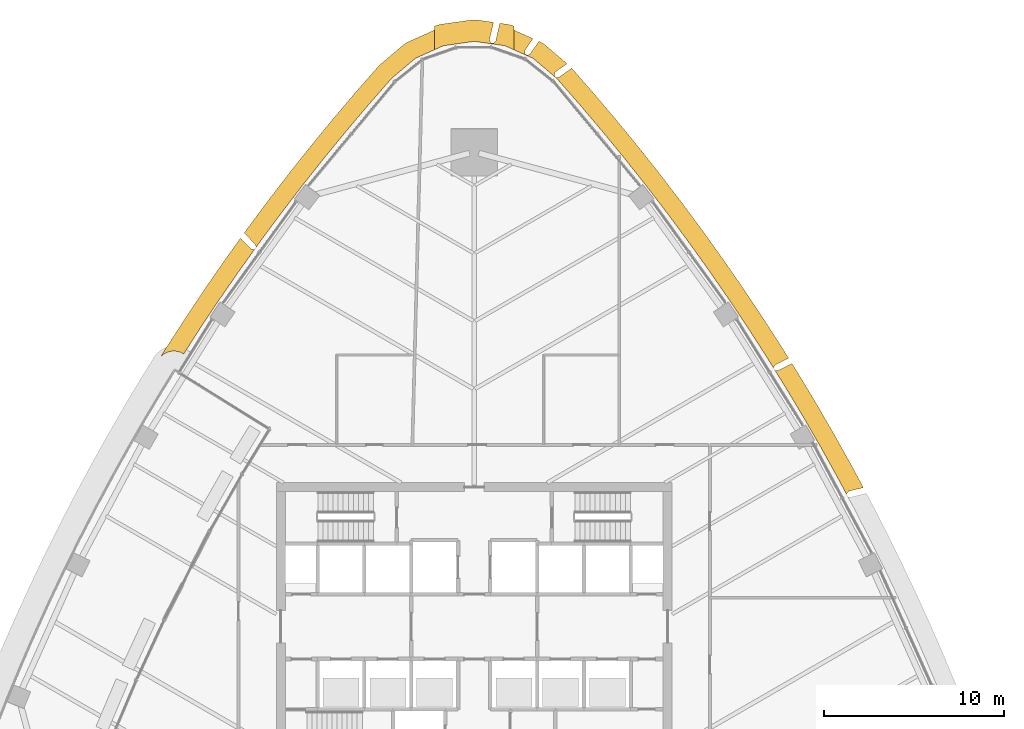
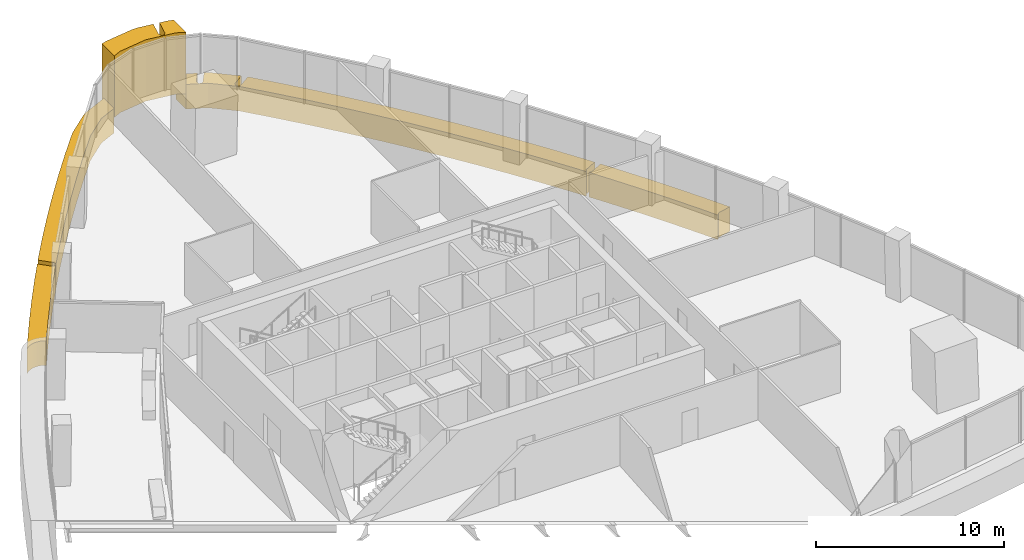
# One storey, part 17 of 18: 5 coverings.
"""IFC4 building model written with IfcOpenShell, lengths in metres."""

import ifcopenshell
import ifcopenshell.guid

model = None  # the IFC model being written
_history = None  # IfcOwnerHistory: only IFC2X3 demands one
_inside = {}  # id of a spatial element -> (the spatial element, [elements in it])
_under = {}  # id of a project, library or spatial element -> (it, [spatial elements below it])
_declared = {}  # id of a project -> (the project, [libraries it declares])
_typed = {}  # id of a type object -> (the type object, [elements of that type])
_made_of = {}  # id of a material, layer set ... -> (it, [elements and type objects made of it])


def new_model(schema):
    """Start an empty IFC model of exactly this schema.

    Asked for "IFC4X3", IfcOpenShell would pick the latest addendum, in which some entities
    have other attributes; the version numbers below select the first issue.
    IFC2X3 requires an IfcOwnerHistory on every rooted entity: one is made here for all.
    """
    global model, _history
    if schema == "IFC4X3":
        model = ifcopenshell.file(schema_version=(4, 3, 0, 0))
    else:
        model = ifcopenshell.file(schema=schema)
    _inside.clear()
    _under.clear()
    _declared.clear()
    _typed.clear()
    _made_of.clear()
    _history = None
    if model.schema == "IFC2X3":
        org = make("IfcOrganization", Name="unknown")
        user = make(
            "IfcPersonAndOrganization",
            ThePerson=make("IfcPerson", FamilyName="unknown"),
            TheOrganization=org,
        )
        app = make(
            "IfcApplication",
            ApplicationDeveloper=org,
            Version="unknown",
            ApplicationFullName="unknown",
            ApplicationIdentifier="unknown",
        )
        _history = make(
            "IfcOwnerHistory",
            OwningUser=user,
            OwningApplication=app,
            ChangeAction="ADDED",
            CreationDate=0,
        )
    return model


def make(cls, **values):
    """One entity of the class cls with the attributes given. An attribute that is None is left unset."""
    return model.create_entity(
        cls, **{name: value for name, value in values.items() if value is not None}
    )


def rooted(cls, **values):
    """An entity with a GlobalId (a new one), such as an element, a storey or a relation."""
    return make(cls, GlobalId=ifcopenshell.guid.new(), OwnerHistory=_history, **values)


def si_unit(unit_type, name, prefix=None):
    """IfcSIUnit, for example si_unit("LENGTHUNIT", "METRE", prefix="MILLI")."""
    return make("IfcSIUnit", UnitType=unit_type, Prefix=prefix, Name=name)


def assignment(units):
    """IfcUnitAssignment: the units of a project."""
    return None if units is None else make("IfcUnitAssignment", Units=units)


def point(xyz):
    """IfcCartesianPoint."""
    return None if xyz is None else make("IfcCartesianPoint", Coordinates=xyz)


def direction(xyz):
    """IfcDirection."""
    return None if xyz is None else make("IfcDirection", DirectionRatios=xyz)


def frame(location, z_axis=None, x_axis=None):
    """IfcAxis2Placement3D, a coordinate frame: its origin and axes. An axis left out is left unset."""
    return make(
        "IfcAxis2Placement3D",
        Location=point(location),
        Axis=direction(z_axis),
        RefDirection=direction(x_axis),
    )


def origin():
    """The frame at (0, 0, 0) with its axes left unset."""
    return frame((0.0, 0.0, 0.0))


def place(relative_to, where):
    """IfcLocalPlacement: puts the frame where relative to a parent placement (None: the world)."""
    return make(
        "IfcLocalPlacement", PlacementRelTo=relative_to, RelativePlacement=where
    )


def context(
    kind, dimensions, precision=None, world=None, true_north=None, identifier=None
):
    """IfcGeometricRepresentationContext, for example the 3D "Model" context."""
    return make(
        "IfcGeometricRepresentationContext",
        ContextIdentifier=identifier,
        ContextType=kind,
        CoordinateSpaceDimension=dimensions,
        Precision=precision,
        WorldCoordinateSystem=world,
        TrueNorth=true_north,
    )


def subcontext(parent, identifier, kind, view, scale=None):
    """IfcGeometricRepresentationSubContext, for example "Body" below "Model"."""
    return make(
        "IfcGeometricRepresentationSubContext",
        ContextIdentifier=identifier,
        ContextType=kind,
        ParentContext=parent,
        TargetScale=scale,
        TargetView=view,
    )


def project(units=None, contexts=None):
    """IfcProject with its units and contexts."""
    return rooted(
        "IfcProject",
        Name="project",
        RepresentationContexts=contexts,
        UnitsInContext=assignment(units),
    )


def spatial(cls, under=None, at=None, **own):
    """A site, building, storey or space (cls), placed at a placement, below another one or the project."""
    s = rooted(cls, ObjectPlacement=at, **own)
    if under is not None:
        _under.setdefault(under.id(), (under, []))[1].append(s)
    return s


def polyline(points):
    """IfcPolyline through the points."""
    return make("IfcPolyline", Points=[point(p) for p in points])


def outline(outer, holes=None, kind="AREA"):
    """IfcArbitraryClosedProfileDef: a profile drawn as a closed curve; with holes, ...WithVoids."""
    if holes is None:
        return make("IfcArbitraryClosedProfileDef", ProfileType=kind, OuterCurve=outer)
    return make(
        "IfcArbitraryProfileDefWithVoids",
        ProfileType=kind,
        OuterCurve=outer,
        InnerCurves=holes,
    )


def extrude(swept, where, along, depth):
    """IfcExtrudedAreaSolid: the profile swept, set in the frame where, extruded along a direction by depth."""
    return make(
        "IfcExtrudedAreaSolid",
        SweptArea=swept,
        Position=where,
        ExtrudedDirection=direction(along),
        Depth=depth,
    )


def shape(context_of_items, identifier, shape_type, items):
    """IfcShapeRepresentation: the items that make up one representation, for example the "Body"."""
    return make(
        "IfcShapeRepresentation",
        ContextOfItems=context_of_items,
        RepresentationIdentifier=identifier,
        RepresentationType=shape_type,
        Items=items,
    )


def material(Name=None, Category=None):
    """IfcMaterial."""
    return make("IfcMaterial", Name=Name, Category=Category)


def layer(
    of_material, thickness, ventilated=None, Name=None, Category=None, Priority=None
):
    """IfcMaterialLayer: one layer of a wall or slab, of a material (None: an air gap)."""
    return make(
        "IfcMaterialLayer",
        Material=of_material,
        LayerThickness=thickness,
        IsVentilated=ventilated,
        Name=Name,
        Category=Category,
        Priority=Priority,
    )


def layer_set(layers, Name=None):
    """IfcMaterialLayerSet."""
    return make("IfcMaterialLayerSet", MaterialLayers=layers, LayerSetName=Name)


def made_of(thing, what):
    """Note that an element or type object is made of a material, layer set ...; save() writes the relation."""
    if what is not None:
        _made_of.setdefault(what.id(), (what, []))[1].append(thing)
    return thing


def type_object(cls, material=None, **own):
    """A type object (cls), such as IfcWallType, which elements share."""
    return made_of(rooted(cls, **own), material)


def element(
    cls,
    number,
    at=None,
    inside=None,
    cuts=None,
    type_object=None,
    material=None,
    context=None,
    identifier="Body",
    shape_type=None,
    held_by="IfcProductDefinitionShape",
    body=None,
    shapes=None,
    **own,
):
    """One element of the class cls, such as IfcWall. Its Tag is "e" and its number.

    at: its placement. inside: the storey or other place that contains it. cuts: it is an
    opening in that element (IfcRelVoidsElement). A single representation is given by context,
    identifier, shape_type and body (its items); several are given by shapes. held_by: the class
    of the entity that holds the representations. save() writes the other relations.
    """
    e = rooted(cls, Tag="e%d" % number, ObjectPlacement=at, **own)
    if body is not None:
        shapes = [shape(context, identifier, shape_type, body)]
    if shapes is not None:
        e.Representation = make(held_by, Representations=shapes)
    if inside is not None:
        _inside.setdefault(inside.id(), (inside, []))[1].append(e)
    if cuts is not None:
        rooted(
            "IfcRelVoidsElement", RelatingBuildingElement=cuts, RelatedOpeningElement=e
        )
    if type_object is not None:
        _typed.setdefault(type_object.id(), (type_object, []))[1].append(e)
    return made_of(e, material)


def aggregate(whole, parts):
    """IfcRelAggregates: a whole, such as a stair, and the parts it consists of."""
    return rooted("IfcRelAggregates", RelatingObject=whole, RelatedObjects=parts)


def save(model, path):
    """Write the relations noted so far, then the file.

    IfcRelAggregates (storeys below a building ...), IfcRelContainedInSpatialStructure (elements
    in a storey), IfcRelDefinesByType, IfcRelAssociatesMaterial and IfcRelDeclares: one each for
    every whole, place, type object, material and project.
    """
    for whole, parts in _under.values():
        aggregate(whole, parts)
    for where, things in _inside.values():
        rooted(
            "IfcRelContainedInSpatialStructure",
            RelatedElements=things,
            RelatingStructure=where,
        )
    for kind, things in _typed.values():
        rooted("IfcRelDefinesByType", RelatedObjects=things, RelatingType=kind)
    for what, things in _made_of.values():
        rooted("IfcRelAssociatesMaterial", RelatedObjects=things, RelatingMaterial=what)
    for by, libraries in _declared.values():
        rooted("IfcRelDeclares", RelatingContext=by, RelatedDefinitions=libraries)
    model.write(path)


model = new_model("IFC4")

# Units and contexts
model_context = context("Model", 3, precision=1e-05, world=origin(), true_north=direction((0.0, 1.0)))
body_context = subcontext(model_context, "Body", "Model", "MODEL_VIEW")
ifc_project = project(units=[si_unit("LENGTHUNIT", "METRE"), si_unit("AREAUNIT", "SQUARE_METRE"), si_unit("VOLUMEUNIT", "CUBIC_METRE"), si_unit("PLANEANGLEUNIT", "RADIAN"), si_unit("MASSUNIT", "GRAM", prefix="KILO")], contexts=[model_context])

# Site, building, storey
site_placement = place(None, origin())
site = spatial("IfcSite", under=ifc_project, at=site_placement, CompositionType="ELEMENT")
building_placement = place(site_placement, origin())
building = spatial("IfcBuilding", under=site, at=building_placement, Name="Sierra Prisma Convention Tower", CompositionType="ELEMENT")
storey_placement = place(building_placement, frame((0.0, 0.0, 205.800048828125)))
storey = spatial("IfcBuildingStorey", under=building, at=storey_placement, Name="L46", CompositionType="ELEMENT", Elevation=205.800048828125)

# Coverings
ifc_material_1 = material(Name="Aluminium composite bronze anodised", Category="aluminium")
ifc_layer_1 = layer(ifc_material_1, 1.199951171875)
ifc_layer_set_1 = layer_set([ifc_layer_1], Name="Bronze corner pier")
covering_type_1 = type_object("IfcCoveringType", Name="Bronze corner pier", PredefinedType="CLADDING", material=ifc_layer_set_1)
covering_1_placement = place(storey_placement, frame((0.0, 0.0, -0.60009765625)))
element("IfcCovering", 1, at=covering_1_placement, inside=storey, type_object=covering_type_1, Name="Corner pier N L46.1", PredefinedType="CLADDING", context=body_context, shape_type="SweptSolid", body=[
    extrude(outline(polyline([(-2.199951171875, 32.065673828125), (-2.199951171875, 33.380859375), (-2.19580078125, 33.3828125), (-1.87255859375, 33.47607421875), (-0.168212890625, 33.71728515625), (0.168212890625, 33.71728515625), (1.076904296875, 33.588623046875), (0.85791015625, 32.64501953125), (0.857177734375, 32.639892578125), (0.856689453125, 32.635009765625), (0.85693359375, 32.6298828125), (0.857421875, 32.625), (0.858642578125, 32.6201171875), (0.8603515625, 32.615234375), (0.915771484375, 32.47509765625), (0.917724609375, 32.470703125), (0.920166015625, 32.466552734375), (0.9228515625, 32.462646484375), (0.92578125, 32.458984375), (0.929443359375, 32.455810546875), (0.93310546875, 32.452880859375), (0.937255859375, 32.4501953125), (0.94140625, 32.447998046875), (0.94580078125, 32.4462890625), (0.950439453125, 32.44482421875), (0.955078125, 32.444091796875), (1.05419921875, 32.429931640625), (1.05908203125, 32.4296875), (1.06396484375, 32.4296875), (1.068603515625, 32.43017578125), (1.073486328125, 32.43115234375), (1.078125, 32.4326171875), (1.08251953125, 32.434326171875), (1.0869140625, 32.4365234375), (1.0908203125, 32.439208984375), (1.0947265625, 32.4423828125), (1.09814453125, 32.44580078125), (1.187255859375, 32.54345703125), (1.1904296875, 32.54736328125), (1.193359375, 32.551513671875), (1.19580078125, 32.55615234375), (1.197509765625, 32.560791015625), (1.198974609375, 32.56591796875), (1.4248046875, 33.53955078125), (1.87255859375, 33.47607421875), (2.19580078125, 33.3828125), (2.199951171875, 33.380859375), (2.199951171875, 32.065673828125), (1.70458984375, 32.287841796875), (0.0, 32.529052734375), (-1.70458984375, 32.287841796875), (-2.199951171875, 32.065673828125)])), origin(), (0.0, 0.0, 1.0), 4.0),
])
ifc_material_2 = material(Name="Aluminium composite bronze anodised", Category="aluminium")
ifc_layer_2 = layer(ifc_material_2, 1.0)
ifc_layer_set_2 = layer_set([ifc_layer_2], Name="Bronze spandrel band")
covering_type_2 = type_object("IfcCoveringType", Name="Bronze spandrel band", PredefinedType="CLADDING", material=ifc_layer_set_2)
covering_2_placement = place(storey_placement, frame((0.0, 0.0, -1.60009765625)))
element("IfcCovering", 2, at=covering_2_placement, inside=storey, type_object=covering_type_2, Name="Spandrel band L46.1", PredefinedType="CLADDING", context=body_context, shape_type="SweptSolid", body=[
    extrude(outline(polyline([(-17.106201171875, 15.515380859375), (-17.097412109375, 15.529052734375), (-16.046142578125, 17.160400390625), (-16.037109375, 17.174072265625), (-14.959228515625, 18.7880859375), (-14.9501953125, 18.801513671875), (-13.84619140625, 20.39794921875), (-13.836669921875, 20.4111328125), (-12.992919921875, 21.589599609375), (-12.423828125, 21.00830078125), (-12.42041015625, 21.005126953125), (-12.416748046875, 21.00244140625), (-12.412841796875, 21.0), (-12.40869140625, 20.997802734375), (-12.404296875, 20.99609375), (-12.39990234375, 20.994873046875), (-12.395263671875, 20.993896484375), (-12.237548828125, 20.970947265625), (-12.232666015625, 20.970458984375), (-12.2275390625, 20.970458984375), (-12.22265625, 20.970947265625), (-12.2177734375, 20.971923828125), (-12.212890625, 20.973388671875), (-12.20849609375, 20.975341796875), (-12.2041015625, 20.977783203125), (-12.199951171875, 20.980712890625), (-12.197998046875, 20.982177734375), (-13.023681640625, 19.8291015625), (-14.127685546875, 18.23291015625), (-15.20556640625, 16.61865234375), (-16.14599609375, 15.159423828125), (-16.147705078125, 15.160400390625), (-16.2353515625, 15.209228515625), (-16.3271484375, 15.2490234375), (-16.422607421875, 15.27978515625), (-16.5205078125, 15.301025390625), (-16.619873046875, 15.3125), (-16.72021484375, 15.314453125), (-16.820068359375, 15.30615234375), (-16.91845703125, 15.288330078125), (-17.014892578125, 15.260986328125), (-17.108154296875, 15.22412109375), (-17.197265625, 15.178466796875), (-17.281494140625, 15.1240234375), (-17.35986328125, 15.061767578125), (-17.430908203125, 14.9931640625), (-17.106201171875, 15.515380859375)])), origin(), (0.0, 0.0, 1.0), 1.60009765625),
])
covering_3_placement = place(storey_placement, frame((0.0, 0.0, -1.60009765625)))
element("IfcCovering", 3, at=covering_3_placement, inside=storey, type_object=covering_type_2, Name="Spandrel band L46.3", PredefinedType="CLADDING", context=body_context, shape_type="SweptSolid", body=[
    extrude(outline(polyline([(-10.351318359375, 25.115478515625), (-10.34130859375, 25.12841796875), (-9.135498046875, 26.6494140625), (-9.12548828125, 26.661865234375), (-7.89501953125, 28.1630859375), (-7.884765625, 28.175537109375), (-6.630126953125, 29.656494140625), (-6.619384765625, 29.668701171875), (-5.3408203125, 31.129150390625), (-5.235107421875, 31.2333984375), (-3.921630859375, 32.34619140625), (-3.6845703125, 32.49560546875), (-2.2099609375, 33.156982421875), (-2.2099609375, 32.06103515625), (-3.275146484375, 31.583251953125), (-4.588623046875, 30.470458984375), (-5.8671875, 29.010009765625), (-7.12158203125, 27.529296875), (-8.35205078125, 26.028076171875), (-9.5576171875, 24.507080078125), (-10.73828125, 22.966552734375), (-11.893798828125, 21.4072265625), (-12.12548828125, 21.08349609375), (-12.12451171875, 21.08642578125), (-12.123046875, 21.09130859375), (-12.122314453125, 21.096435546875), (-12.1220703125, 21.1015625), (-12.122314453125, 21.106689453125), (-12.123046875, 21.11181640625), (-12.12451171875, 21.116943359375), (-12.161865234375, 21.233642578125), (-12.163330078125, 21.23779296875), (-12.16552734375, 21.2421875), (-12.16796875, 21.24609375), (-12.170654296875, 21.249755859375), (-12.173583984375, 21.25341796875), (-12.7861328125, 21.878662109375), (-12.706787109375, 21.9892578125), (-12.697265625, 22.00244140625), (-11.541748046875, 23.56201171875), (-11.531982421875, 23.574951171875), (-10.351318359375, 25.115478515625)])), origin(), (0.0, 0.0, 1.0), 1.60009765625),
])
covering_4_placement = place(storey_placement, frame((0.0, 0.0, -1.60009765625)))
element("IfcCovering", 4, at=covering_4_placement, inside=storey, type_object=covering_type_2, Name="Spandrel band L46.4", PredefinedType="CLADDING", context=body_context, shape_type="SweptSolid", body=[
    extrude(outline(polyline([(2.831298828125, 32.040283203125), (2.829345703125, 32.035888671875), (2.82763671875, 32.03173828125), (2.826416015625, 32.027099609375), (2.82568359375, 32.022705078125), (2.8251953125, 32.01806640625), (2.8251953125, 32.013427734375), (2.833984375, 31.85400390625), (2.83447265625, 31.84912109375), (2.83544921875, 31.84423828125), (2.8369140625, 31.839599609375), (2.8388671875, 31.8349609375), (2.84130859375, 31.830810546875), (2.843994140625, 31.82666015625), (2.847412109375, 31.82275390625), (2.850830078125, 31.8193359375), (2.854736328125, 31.816162109375), (2.85888671875, 31.8134765625), (2.86328125, 31.811279296875), (2.95458984375, 31.770263671875), (2.95947265625, 31.768310546875), (2.96435546875, 31.76708984375), (2.969482421875, 31.76611328125), (2.974609375, 31.765869140625), (2.97998046875, 31.76611328125), (2.985107421875, 31.766845703125), (2.989990234375, 31.768310546875), (2.994873046875, 31.77001953125), (2.99951171875, 31.772216796875), (3.1064453125, 31.83203125), (3.1103515625, 31.83447265625), (3.114013671875, 31.83740234375), (3.117431640625, 31.84033203125), (3.12060546875, 31.843994140625), (3.123291015625, 31.84765625), (3.591552734375, 32.537353515625), (3.6845703125, 32.49560546875), (3.921630859375, 32.34619140625), (5.169677734375, 31.288818359375), (4.51904296875, 30.837890625), (4.51513671875, 30.8349609375), (4.511474609375, 30.83154296875), (4.50830078125, 30.82763671875), (4.50537109375, 30.823486328125), (4.5029296875, 30.8193359375), (4.500732421875, 30.814697265625), (4.499267578125, 30.81005859375), (4.45458984375, 30.648193359375), (4.45361328125, 30.6435546875), (4.453125, 30.638916015625), (4.452880859375, 30.634033203125), (4.453369140625, 30.62939453125), (4.4541015625, 30.624755859375), (4.455078125, 30.6201171875), (4.456787109375, 30.615478515625), (4.458740234375, 30.611328125), (4.461181640625, 30.607421875), (4.464111328125, 30.603515625), (4.46728515625, 30.599853515625), (4.470703125, 30.5966796875), (4.546875, 30.531982421875), (4.55078125, 30.529052734375), (4.55517578125, 30.5263671875), (4.5595703125, 30.524169921875), (4.564208984375, 30.5224609375), (4.56884765625, 30.521240234375), (4.57373046875, 30.5205078125), (4.578857421875, 30.520263671875), (4.583740234375, 30.5205078125), (4.588623046875, 30.52099609375), (4.69921875, 30.542236328125), (4.704345703125, 30.54345703125), (4.709228515625, 30.545166015625), (4.7138671875, 30.547607421875), (4.718505859375, 30.55029296875), (5.42138671875, 31.037353515625), (6.619384765625, 29.668701171875), (6.630126953125, 29.656494140625), (7.884765625, 28.175537109375), (7.89501953125, 28.1630859375), (9.12548828125, 26.661865234375), (9.135498046875, 26.6494140625), (10.34130859375, 25.12841796875), (10.351318359375, 25.115478515625), (11.531982421875, 23.574951171875), (11.541748046875, 23.56201171875), (12.697265625, 22.00244140625), (12.706787109375, 21.9892578125), (13.836669921875, 20.4111328125), (13.84619140625, 20.39794921875), (14.9501953125, 18.801513671875), (14.959228515625, 18.7880859375), (16.037109375, 17.174072265625), (16.046142578125, 17.160400390625), (17.097412109375, 15.529052734375), (17.106201171875, 15.515380859375), (17.473876953125, 14.923828125), (16.74072265625, 14.552490234375), (16.736328125, 14.5498046875), (16.732421875, 14.547119140625), (16.728515625, 14.543701171875), (16.72509765625, 14.5400390625), (16.721923828125, 14.535888671875), (16.719482421875, 14.53173828125), (16.647705078125, 14.3994140625), (16.6455078125, 14.39501953125), (16.643798828125, 14.390380859375), (16.642578125, 14.385986328125), (16.641845703125, 14.381103515625), (16.6416015625, 14.37646484375), (16.6416015625, 14.37158203125), (16.64208984375, 14.36767578125), (16.257080078125, 14.9873046875), (15.20556640625, 16.61865234375), (14.127685546875, 18.23291015625), (13.023681640625, 19.8291015625), (11.893798828125, 21.4072265625), (10.73828125, 22.966552734375), (9.5576171875, 24.507080078125), (8.35205078125, 26.028076171875), (7.12158203125, 27.529296875), (5.8671875, 29.010009765625), (4.588623046875, 30.470458984375), (3.275146484375, 31.583251953125), (2.2099609375, 32.06103515625), (2.2099609375, 33.156982421875), (3.267333984375, 32.682861328125), (2.833740234375, 32.044189453125), (2.831298828125, 32.040283203125)])), origin(), (0.0, 0.0, 1.0), 1.60009765625),
])
covering_5_placement = place(storey_placement, frame((0.0, 0.0, -1.60009765625)))
element("IfcCovering", 5, at=covering_5_placement, inside=storey, type_object=covering_type_2, Name="Spandrel band L46.5", PredefinedType="CLADDING", context=body_context, shape_type="SweptSolid", body=[
    extrude(outline(polyline([(21.6328125, 7.724365234375), (20.837646484375, 7.538818359375), (20.8330078125, 7.537353515625), (20.828369140625, 7.535400390625), (20.823974609375, 7.533203125), (20.819580078125, 7.530517578125), (20.81591796875, 7.52734375), (20.812255859375, 7.52392578125), (20.80908203125, 7.52001953125), (20.7080078125, 7.385986328125), (20.705322265625, 7.382080078125), (20.703125, 7.377685546875), (20.701416015625, 7.37353515625), (20.69970703125, 7.368896484375), (20.69873046875, 7.364501953125), (20.6982421875, 7.359619140625), (20.697998046875, 7.35498046875), (20.6982421875, 7.351318359375), (20.192626953125, 8.296875), (19.249755859375, 9.993408203125), (18.279296875, 11.67431640625), (17.28173828125, 13.339111328125), (16.715576171875, 14.24951171875), (16.718994140625, 14.247314453125), (16.723388671875, 14.2451171875), (16.727783203125, 14.243408203125), (16.732421875, 14.241943359375), (16.7373046875, 14.240966796875), (16.7421875, 14.240478515625), (16.874267578125, 14.23486328125), (16.87939453125, 14.23486328125), (16.884521484375, 14.235595703125), (16.889404296875, 14.236572265625), (16.894287109375, 14.238037109375), (16.89892578125, 14.240234375), (17.659423828125, 14.62548828125), (18.130859375, 13.866943359375), (18.139404296875, 13.85302734375), (19.13720703125, 12.188232421875), (19.1455078125, 12.17431640625), (20.11572265625, 10.493408203125), (20.123779296875, 10.47900390625), (21.06689453125, 8.78271484375), (21.07470703125, 8.768310546875), (21.6328125, 7.724365234375)])), origin(), (0.0, 0.0, 1.0), 1.60009765625),
])

save(model, "model.ifc")
